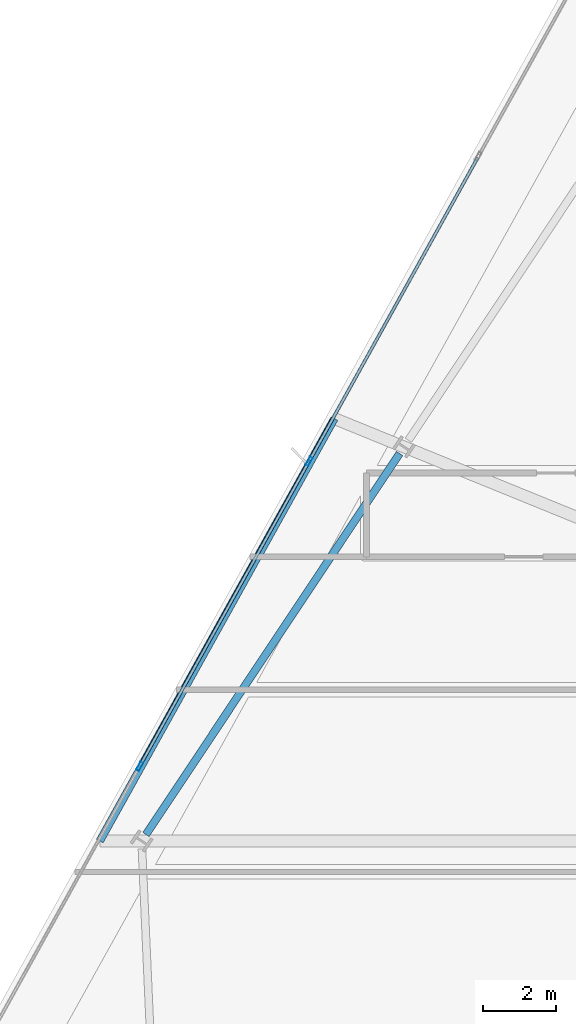
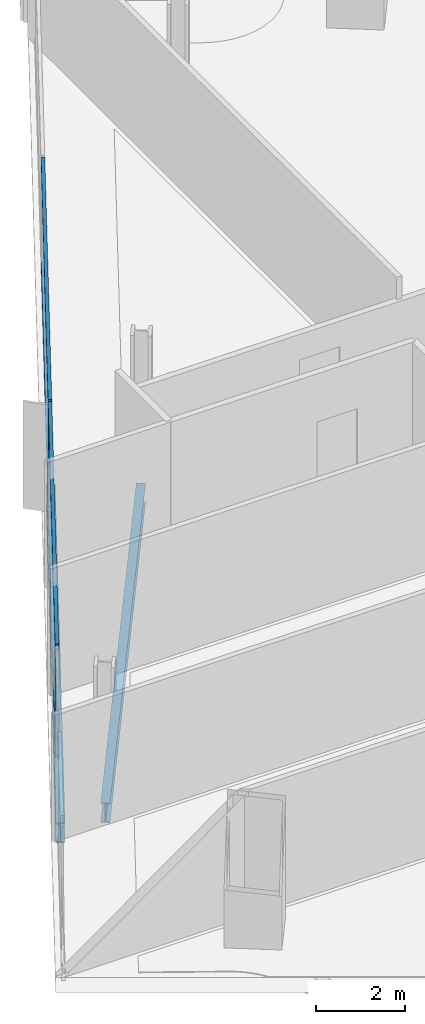
# One storey, part 12 of 28: 6 members, 2 beams, 1 element without a shape of its own.
"""IFC4 building model written with IfcOpenShell, lengths in metres."""

from ifc_helpers import new_model, si_unit, direction, frame, origin, origin_2d, place, context, subcontext, project, spatial, hollow_rectangle, i_section, extrude, material, material_profile, profile_set, type_object, element, aggregate, save


model = new_model("IFC4")

# Units and contexts
model_context = context("Model", 3, precision=1e-05, world=origin(), true_north=direction((0.0, 1.0)))
body_context = subcontext(model_context, "Body", "Model", "MODEL_VIEW")
ifc_project = project(units=[si_unit("LENGTHUNIT", "METRE"), si_unit("AREAUNIT", "SQUARE_METRE"), si_unit("VOLUMEUNIT", "CUBIC_METRE"), si_unit("PLANEANGLEUNIT", "RADIAN"), si_unit("MASSUNIT", "GRAM", prefix="KILO")], contexts=[model_context])

# Site, building, storey
site_placement = place(None, origin())
site = spatial("IfcSite", under=ifc_project, at=site_placement, CompositionType="ELEMENT")
building_placement = place(site_placement, origin())
building = spatial("IfcBuilding", under=site, at=building_placement, Name="Haldenkirk Collegiate Tower", CompositionType="ELEMENT")
storey_placement = place(building_placement, frame((0.0, 0.0, 232.199951171875)))
storey = spatial("IfcBuildingStorey", under=building, at=storey_placement, Name="L58", CompositionType="ELEMENT", Elevation=232.199951171875)

# Beams
ifc_material_1 = material(Name="Steel ASTM A992 Grade 50", Category="steel")
ifc_material_profile_1 = material_profile(ifc_material_1, i_section(OverallWidth=0.2099609375, OverallDepth=0.537109375, WebThickness=0.010986328125, FlangeThickness=0.017333984375, at=origin_2d()), Name="W21X68")
ifc_profile_set_1 = profile_set([ifc_material_profile_1], Name="Steel ASTM A992 Grade 50")
beam_type = type_object("IfcBeamType", Name="BM-SPANDREL-W21X68", PredefinedType="SPANDREL", material=ifc_profile_set_1)
beam_1_placement = place(storey_placement, frame((19.106201171875, 36.98486328125, -0.54833984375), z_axis=(-0.554117024454, -0.832438780458, 0.0), x_axis=(0.832438780458, -0.554117024454, 0.0)))
element("IfcBeam", 1, at=beam_1_placement, inside=storey, type_object=beam_type, Name="L58 perimeter spandrel beam 11", PredefinedType="SPANDREL", context=body_context, shape_type="SweptSolid", body=[
    extrude(i_section(OverallWidth=0.2099609375, OverallDepth=0.537109375, WebThickness=0.010986328125, FlangeThickness=0.017333984375, at=origin_2d()), origin(), (0.0, 0.0, 1.0), 12.562255859375),
])
beam_2_placement = place(storey_placement, frame((17.318603515625, 37.9423828125, -0.54833984375), z_axis=(-0.485564788224, -0.874200684303, 0.0), x_axis=(0.874200684303, -0.485564788224, 0.0)))
element("IfcBeam", 2, at=beam_2_placement, inside=storey, type_object=beam_type, Name="L58 outer facade edge beam 3", PredefinedType="SPANDREL", context=body_context, shape_type="SweptSolid", body=[
    extrude(i_section(OverallWidth=0.2099609375, OverallDepth=0.537109375, WebThickness=0.010986328125, FlangeThickness=0.017333984375, at=origin_2d()), origin(), (0.0, 0.0, 1.0), 13.263671875),
])

# Curtain wall, members
ifc_material_2 = material(Name="Anodised architectural bronze aluminium", Category="aluminium")
curtain_wall_type = type_object("IfcCurtainWallType", Name="CW-SYS1B-CONVEX-HI", PredefinedType="USERDEFINED", material=ifc_material_2)
curtain_wall_placement = place(storey_placement, origin())
curtain_wall = element("IfcCurtainWall", 3, at=curtain_wall_placement, inside=storey, type_object=curtain_wall_type, Name="L58 Upper tower high-wind convex bronze unitised curtain wall", ObjectType="UNITISED CURTAIN WALL", PredefinedType="USERDEFINED")
ifc_material_profile_2 = material_profile(ifc_material_2, hollow_rectangle(XDim=0.0849609375, YDim=0.25, WallThickness=0.0048828125, at=origin_2d()), Name="CW-MUL-1B")
ifc_profile_set_2 = profile_set([ifc_material_profile_2], Name="Anodised architectural bronze aluminium")
member_type_1 = type_object("IfcMemberType", Name="CW-MUL-1B", PredefinedType="MULLION", material=ifc_profile_set_2)
member_1_placement = place(storey_placement, frame((11.9697265625, 28.394775390625, 0.0), z_axis=(0.0, 0.0, 1.0), x_axis=(-0.874196560948, 0.485572211753, 0.0)))
member_1 = element("IfcMember", 4, at=member_1_placement, type_object=member_type_1, Name="CW-1B mullion 2", PredefinedType="MULLION", context=body_context, shape_type="SweptSolid", body=[
    extrude(hollow_rectangle(XDim=0.0849609375, YDim=0.25, WallThickness=0.0048828125, at=origin_2d()), origin(), (0.0, 0.0, 1.0), 2.927978515625),
])
member_2_placement = place(storey_placement, frame((16.619140625, 36.76513671875, 0.0), z_axis=(0.0, 0.0, 1.0), x_axis=(-0.874196560948, 0.485572211753, 0.0)))
member_2 = element("IfcMember", 5, at=member_2_placement, type_object=member_type_1, Name="CW-1B mullion 3", PredefinedType="MULLION", context=body_context, shape_type="SweptSolid", body=[
    extrude(hollow_rectangle(XDim=0.0849609375, YDim=0.25, WallThickness=0.0048828125, at=origin_2d()), origin(), (0.0, 0.0, 1.0), 2.927978515625),
])
ifc_material_profile_3 = material_profile(ifc_material_2, hollow_rectangle(XDim=0.0849609375, YDim=0.199951171875, WallThickness=0.0048828125, at=origin_2d()), Name="CW-TRN-1B")
ifc_profile_set_3 = profile_set([ifc_material_profile_3], Name="Anodised architectural bronze aluminium")
member_type_2 = type_object("IfcMemberType", Name="CW-TRN-1B", PredefinedType="USERDEFINED", material=ifc_profile_set_3)
member_3_placement = place(storey_placement, frame((11.990478515625, 28.431884765625, 0.04248046875), z_axis=(0.48555774092, 0.874204598611, 0.0), x_axis=(-0.874204598611, 0.48555774092, 0.0)))
member_3 = element("IfcMember", 6, at=member_3_placement, type_object=member_type_2, Name="CW-1B transom 2.1", ObjectType="TRANSOM", PredefinedType="USERDEFINED", context=body_context, shape_type="SweptSolid", body=[
    extrude(hollow_rectangle(XDim=0.0849609375, YDim=0.199951171875, WallThickness=0.0048828125, at=origin_2d()), origin(), (0.0, 0.0, 1.0), 9.489990234375),
])
member_4_placement = place(storey_placement, frame((11.990478515625, 28.431884765625, 2.885498046875), z_axis=(0.48555774092, 0.874204598611, 0.0), x_axis=(-0.874204598611, 0.48555774092, 0.0)))
member_4 = element("IfcMember", 7, at=member_4_placement, type_object=member_type_2, Name="CW-1B transom 2.2", ObjectType="TRANSOM", PredefinedType="USERDEFINED", context=body_context, shape_type="SweptSolid", body=[
    extrude(hollow_rectangle(XDim=0.0849609375, YDim=0.199951171875, WallThickness=0.0048828125, at=origin_2d()), origin(), (0.0, 0.0, 1.0), 9.489990234375),
])
member_5_placement = place(storey_placement, frame((16.6396484375, 36.80224609375, 0.04248046875), z_axis=(0.485577401438, 0.874193678319, 0.0), x_axis=(-0.874193678319, 0.485577401438, 0.0)))
member_5 = element("IfcMember", 8, at=member_5_placement, type_object=member_type_2, Name="CW-1B transom 3.1", ObjectType="TRANSOM", PredefinedType="USERDEFINED", context=body_context, shape_type="SweptSolid", body=[
    extrude(hollow_rectangle(XDim=0.0849609375, YDim=0.199951171875, WallThickness=0.0048828125, at=origin_2d()), origin(), (0.0, 0.0, 1.0), 9.489990234375),
])
member_6_placement = place(storey_placement, frame((16.6396484375, 36.80224609375, 2.885498046875), z_axis=(0.485577401438, 0.874193678319, 0.0), x_axis=(-0.874193678319, 0.485577401438, 0.0)))
member_6 = element("IfcMember", 9, at=member_6_placement, type_object=member_type_2, Name="CW-1B transom 3.2", ObjectType="TRANSOM", PredefinedType="USERDEFINED", context=body_context, shape_type="SweptSolid", body=[
    extrude(hollow_rectangle(XDim=0.0849609375, YDim=0.199951171875, WallThickness=0.0048828125, at=origin_2d()), origin(), (0.0, 0.0, 1.0), 9.489990234375),
])
aggregate(curtain_wall, [member_1, member_2, member_3, member_4, member_5, member_6])

save(model, "model.ifc")
